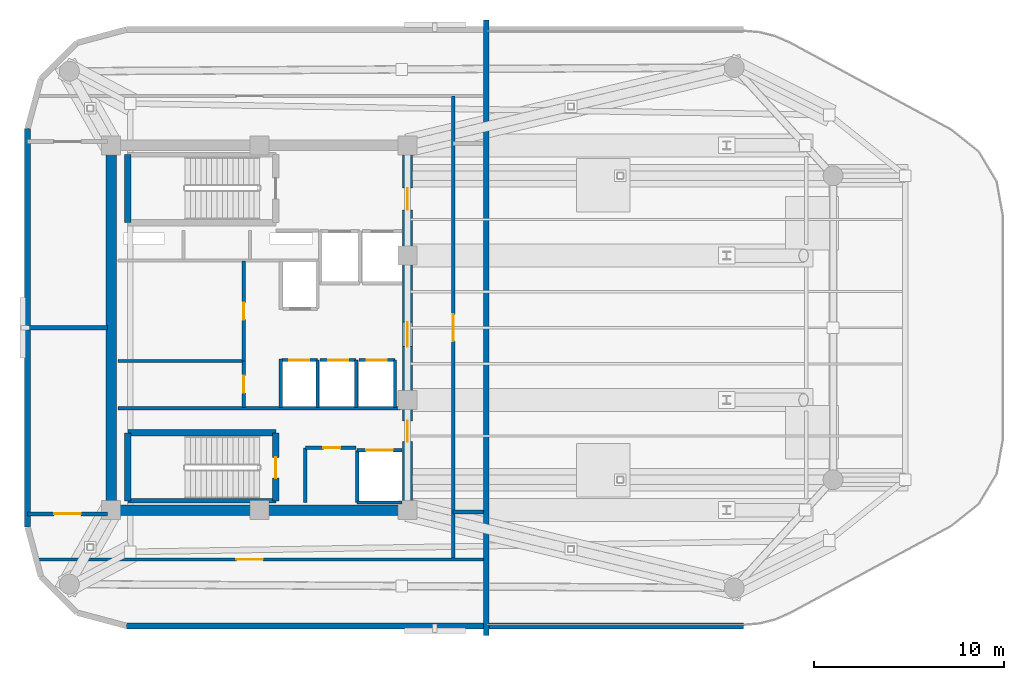
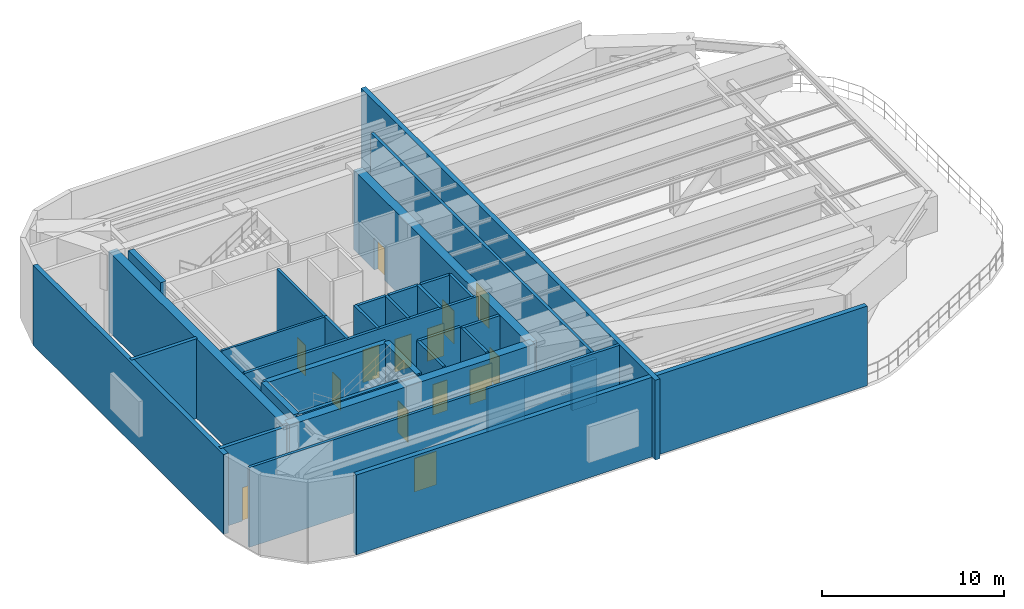
# One storey, part 3 of 6: 32 walls, 14 doors, 14 openings.
"""IFC4 building model written with IfcOpenShell, lengths in metres."""

from ifc_helpers import new_model, si_unit, direction, frame, frame_2d, origin, place, context, subcontext, project, spatial, rectangle, extrude, material, layer, layer_set, type_object, element, fill, save


model = new_model("IFC4")

# Units and contexts
model_context = context("Model", 3, precision=1e-05, world=origin(), true_north=direction((0.0, 1.0)))
body_context = subcontext(model_context, "Body", "Model", "MODEL_VIEW")
ifc_project = project(units=[si_unit("LENGTHUNIT", "METRE"), si_unit("AREAUNIT", "SQUARE_METRE"), si_unit("VOLUMEUNIT", "CUBIC_METRE"), si_unit("PLANEANGLEUNIT", "RADIAN"), si_unit("MASSUNIT", "GRAM", prefix="KILO")], contexts=[model_context])

# Site, building, storey
site_placement = place(None, origin())
site = spatial("IfcSite", under=ifc_project, at=site_placement, CompositionType="ELEMENT")
building_placement = place(site_placement, origin())
building = spatial("IfcBuilding", under=site, at=building_placement, Name="An Khanh Terracotta Commons", CompositionType="ELEMENT")
storey_placement = place(building_placement, frame((0.0, 0.0, 248.10009765625)))
storey = spatial("IfcBuildingStorey", under=building, at=storey_placement, Name="L65", CompositionType="ELEMENT", Elevation=248.10009765625)

# Walls
ifc_material_1 = material(Name="Concrete C50/60", Category="concrete")
ifc_layer_1 = layer(ifc_material_1, 0.550048828125, Name="Concrete C50/60")
ifc_layer_set_1 = layer_set([ifc_layer_1], Name="Concrete C50/60")
wall_type_1 = type_object("IfcWallType", Name="WALL-CORE-550", PredefinedType="SHEAR", material=ifc_layer_set_1)
wall_1_placement = place(storey_placement, frame((21.60009765625, 14.39990234375, 0.0), z_axis=(0.0, 0.0, 1.0), x_axis=(0.0, 1.0, 0.0)))
element("IfcWall", 1, at=wall_1_placement, inside=storey, type_object=wall_type_1, Name="L65 Core Wall CWALL-L65-W", PredefinedType="SHEAR", context=body_context, shape_type="SweptSolid", body=[
    extrude(rectangle(XDim=19.2001953125, YDim=0.550048828125, at=frame_2d((9.60009765625, 0.0))), origin(), (0.0, 0.0, 1.0), 5.35986328125),
])
wall_2_placement = place(storey_placement, frame((37.199951171875, 14.39990234375, 0.0), z_axis=(0.0, 0.0, 1.0), x_axis=(-1.0, 0.0, 0.0)))
element("IfcWall", 2, at=wall_2_placement, inside=storey, type_object=wall_type_1, Name="L65 Core Wall CWALL-L65-S", PredefinedType="SHEAR", context=body_context, shape_type="SweptSolid", body=[
    extrude(rectangle(XDim=15.599853515625, YDim=0.550048828125, at=frame_2d((7.7998046875, 0.0))), origin(), (0.0, 0.0, 1.0), 5.35986328125),
])

# Wall, openings, doors
wall_3_placement = place(storey_placement, frame((37.199951171875, 14.39990234375, 0.0), z_axis=(0.0, 0.0, 1.0), x_axis=(0.0, 1.0, 0.0)))
wall_3 = element("IfcWall", 3, at=wall_3_placement, inside=storey, type_object=wall_type_1, Name="L65 Core Wall CWALL-L65-E", PredefinedType="SHEAR", context=body_context, shape_type="SweptSolid", body=[
    extrude(rectangle(XDim=19.2001953125, YDim=0.550048828125, at=frame_2d((9.60009765625, 0.0))), origin(), (0.0, 0.0, 1.0), 5.35986328125),
])
opening_1_placement = place(wall_3_placement, frame((15.800048828125, 0.0, 0.0)))
opening_1 = element("IfcOpeningElement", 4, at=opening_1_placement, cuts=wall_3, Name="Opening D-FFL", PredefinedType="OPENING", context=body_context, shape_type="SweptSolid", body=[
    extrude(rectangle(XDim=1.14990234375, YDim=2.14990234375, at=frame_2d((0.574951171875, 1.074951171875))), frame((0.0, 0.284912109375, 0.0), z_axis=(0.0, -1.0, 0.0), x_axis=(1.0, 0.0, 0.0)), (0.0, 0.0, 1.0), 0.570068359375),
])
opening_2_placement = place(wall_3_placement, frame((3.60009765625, 0.0, 0.0)))
opening_2 = element("IfcOpeningElement", 5, at=opening_2_placement, cuts=wall_3, Name="Opening D-ST", PredefinedType="OPENING", context=body_context, shape_type="SweptSolid", body=[
    extrude(rectangle(XDim=1.10009765625, YDim=2.14990234375, at=frame_2d((0.550048828125, 1.074951171875))), frame((0.0, 0.284912109375, 0.0), z_axis=(0.0, -1.0, 0.0), x_axis=(1.0, 0.0, 0.0)), (0.0, 0.0, 1.0), 0.570068359375),
])
opening_3_placement = place(wall_3_placement, frame((8.60009765625, 0.0, 0.0)))
opening_3 = element("IfcOpeningElement", 6, at=opening_3_placement, cuts=wall_3, Name="Opening D-COR", PredefinedType="OPENING", context=body_context, shape_type="SweptSolid", body=[
    extrude(rectangle(XDim=1.300048828125, YDim=2.199951171875, at=frame_2d((0.64990234375, 1.10009765625))), frame((0.0, 0.284912109375, 0.0), z_axis=(0.0, -1.0, 0.0), x_axis=(1.0, 0.0, 0.0)), (0.0, 0.0, 1.0), 0.570068359375),
])
ifc_material_2 = material(Name="Fire-Rated Glazed Steel Double Door", Category="steel")
door_type_1 = type_object("IfcDoorType", Name="DOOR-CORR-1300", OperationType="NOTDEFINED", PredefinedType="DOOR", material=ifc_material_2)
door_1_placement = place(opening_3_placement, origin())
door_1 = element("IfcDoor", 7, at=door_1_placement, inside=storey, type_object=door_type_1, Name="L65 Passenger Lift Lobby Double Door", OperationType="DOUBLE_DOOR_SINGLE_SWING", OverallHeight=2.199951171875, OverallWidth=1.300048828125, PredefinedType="DOOR", context=body_context, shape_type="SweptSolid", body=[
    extrude(rectangle(XDim=1.300048828125, YDim=2.199951171875, at=frame_2d((0.64990234375, 1.10009765625))), frame((0.0, 0.02490234375, 0.0), z_axis=(0.0, -1.0, 0.0), x_axis=(1.0, 0.0, 0.0)), (0.0, 0.0, 1.0), 0.050048828125),
])
fill(opening_3, door_1)
ifc_material_3 = material(Name="Fire-Rated Steel Leaf and Vision Panel", Category="steel")
door_type_2 = type_object("IfcDoorType", Name="DOOR-FFL-1150", OperationType="NOTDEFINED", PredefinedType="DOOR", material=ifc_material_3)
door_2_placement = place(opening_1_placement, origin())
door_2 = element("IfcDoor", 8, at=door_2_placement, inside=storey, type_object=door_type_2, Name="L65 Firefighting Lift Lobby Fire Door", OperationType="SINGLE_SWING_LEFT", OverallHeight=2.14990234375, OverallWidth=1.14990234375, PredefinedType="DOOR", context=body_context, shape_type="SweptSolid", body=[
    extrude(rectangle(XDim=1.14990234375, YDim=2.14990234375, at=frame_2d((0.574951171875, 1.074951171875))), frame((0.0, 0.02490234375, 0.0), z_axis=(0.0, -1.0, 0.0), x_axis=(1.0, 0.0, 0.0)), (0.0, 0.0, 1.0), 0.050048828125),
])
fill(opening_1, door_2)
ifc_material_4 = material(Name="Fire-Rated Steel Leaf and Frame", Category="steel")
door_type_3 = type_object("IfcDoorType", Name="DOOR-STAIR-1100", OperationType="NOTDEFINED", PredefinedType="DOOR", material=ifc_material_4)
door_3_placement = place(opening_2_placement, origin())
door_3 = element("IfcDoor", 9, at=door_3_placement, inside=storey, type_object=door_type_3, Name="L65 South Stair Lobby Fire Door", OperationType="SINGLE_SWING_RIGHT", OverallHeight=2.14990234375, OverallWidth=1.10009765625, PredefinedType="DOOR", context=body_context, shape_type="SweptSolid", body=[
    extrude(rectangle(XDim=1.10009765625, YDim=2.14990234375, at=frame_2d((0.550048828125, 1.074951171875))), frame((0.0, 0.02490234375, 0.0), z_axis=(0.0, -1.0, 0.0), x_axis=(1.0, 0.0, 0.0)), (0.0, 0.0, 1.0), 0.050048828125),
])
fill(opening_2, door_3)

# Wall
ifc_material_5 = material(Name="Fire-Rated Gypsum Board on Steel Stud", Category="steel")
ifc_layer_2 = layer(ifc_material_5, 0.179931640625, Name="Fire-Rated Gypsum Board on Steel Stud")
ifc_layer_set_2 = layer_set([ifc_layer_2], Name="Fire-Rated Gypsum Board on Steel Stud")
wall_type_2 = type_object("IfcWallType", Name="WALL-CORR-180", PredefinedType="PARTITIONING", material=ifc_layer_set_2)
wall_4_placement = place(storey_placement, frame((21.949951171875, 19.760009765625, 0.0), z_axis=(0.0, 0.0, 1.0), x_axis=(1.0, 0.0, 0.0)))
element("IfcWall", 10, at=wall_4_placement, inside=storey, type_object=wall_type_2, Name="L65 Core Wall SVW-L65-N", PredefinedType="PARTITIONING", context=body_context, shape_type="SweptSolid", body=[
    extrude(rectangle(XDim=14.8701171875, YDim=0.179931640625, at=frame_2d((7.43505859375, 0.0))), origin(), (0.0, 0.0, 1.0), 5.35986328125),
])

# Wall, opening, door
wall_5_placement = place(storey_placement, frame((31.820068359375, 17.679931640625, 0.0), z_axis=(0.0, 0.0, 1.0), x_axis=(1.0, 0.0, 0.0)))
wall_5 = element("IfcWall", 11, at=wall_5_placement, inside=storey, type_object=wall_type_2, Name="L65 Core Wall SSVCW-L65-N", PredefinedType="PARTITIONING", context=body_context, shape_type="SweptSolid", body=[
    extrude(rectangle(XDim=2.659912109375, YDim=0.179931640625, at=frame_2d((1.330078125, 0.0))), origin(), (0.0, 0.0, 1.0), 5.35986328125),
])
opening_4_placement = place(wall_5_placement, frame((0.949951171875, 0.0, 0.0)))
opening_4 = element("IfcOpeningElement", 12, at=opening_4_placement, cuts=wall_5, Name="Opening D-SV", PredefinedType="OPENING", context=body_context, shape_type="SweptSolid", body=[
    extrude(rectangle(XDim=0.89990234375, YDim=2.050048828125, at=frame_2d((0.449951171875, 1.02490234375))), frame((0.0, 0.099853515625, 0.0), z_axis=(0.0, -1.0, 0.0), x_axis=(1.0, 0.0, 0.0)), (0.0, 0.0, 1.0), 0.199951171875),
])
ifc_material_6 = material(Name="Fire-Rated Powder-Coated Steel Door", Category="steel")
door_type_4 = type_object("IfcDoorType", Name="DOOR-SERV-900", OperationType="NOTDEFINED", PredefinedType="DOOR", material=ifc_material_6)
door_4_placement = place(opening_4_placement, origin())
door_4 = element("IfcDoor", 13, at=door_4_placement, inside=storey, type_object=door_type_4, Name="L65 Mechanical BMS Switchroom Door", OperationType="SINGLE_SWING_LEFT", OverallHeight=2.050048828125, OverallWidth=0.89990234375, PredefinedType="DOOR", context=body_context, shape_type="SweptSolid", body=[
    extrude(rectangle(XDim=0.89990234375, YDim=2.050048828125, at=frame_2d((0.449951171875, 1.02490234375))), frame((0.0, 0.02490234375, 0.0), z_axis=(0.0, -1.0, 0.0), x_axis=(1.0, 0.0, 0.0)), (0.0, 0.0, 1.0), 0.050048828125),
])
fill(opening_4, door_4)

# Wall
wall_6_placement = place(storey_placement, frame((31.820068359375, 14.800048828125, 0.0), z_axis=(0.0, 0.0, 1.0), x_axis=(0.0, 1.0, 0.0)))
element("IfcWall", 14, at=wall_6_placement, inside=storey, type_object=wall_type_2, Name="L65 Core Wall SSVCW-L65-W", PredefinedType="PARTITIONING", context=body_context, shape_type="SweptSolid", body=[
    extrude(rectangle(XDim=2.8798828125, YDim=0.179931640625, at=frame_2d((1.43994140625, 0.0))), origin(), (0.0, 0.0, 1.0), 5.35986328125),
])

# Wall, opening, door
wall_7_placement = place(storey_placement, frame((34.550048828125, 17.550048828125, 0.0), z_axis=(0.0, 0.0, 1.0), x_axis=(1.0, 0.0, 0.0)))
wall_7 = element("IfcWall", 15, at=wall_7_placement, inside=storey, type_object=wall_type_2, Name="L65 Core Wall LSH-L65-SVL-01-N", PredefinedType="PARTITIONING", context=body_context, shape_type="SweptSolid", body=[
    extrude(rectangle(XDim=2.349853515625, YDim=0.179931640625, at=frame_2d((1.1748046875, 0.0))), origin(), (0.0, 0.0, 1.0), 5.35986328125),
])
opening_5_placement = place(wall_7_placement, frame((0.47509765625, 0.0, 0.0)))
opening_5 = element("IfcOpeningElement", 16, at=opening_5_placement, cuts=wall_7, Name="Opening LD-SVL-01-L65", PredefinedType="OPENING", context=body_context, shape_type="SweptSolid", body=[
    extrude(rectangle(XDim=1.39990234375, YDim=2.300048828125, at=frame_2d((0.699951171875, 1.14990234375))), frame((0.0, 0.099853515625, 0.0), z_axis=(0.0, -1.0, 0.0), x_axis=(1.0, 0.0, 0.0)), (0.0, 0.0, 1.0), 0.199951171875),
])
ifc_material_7 = material(Name="Heavy-Duty Stainless Steel Goods Landing Door", Category="steel")
door_type_5 = type_object("IfcDoorType", Name="DOOR-LD-SVL-1400", OperationType="NOTDEFINED", PredefinedType="DOOR", material=ifc_material_7)
door_5_placement = place(opening_5_placement, origin())
door_5 = element("IfcDoor", 17, at=door_5_placement, inside=storey, type_object=door_type_5, Name="L65 Lift SVL-01 Sliding Landing Door", OperationType="DOUBLE_DOOR_SLIDING", OverallHeight=2.300048828125, OverallWidth=1.39990234375, PredefinedType="DOOR", context=body_context, shape_type="SweptSolid", body=[
    extrude(rectangle(XDim=1.39990234375, YDim=2.300048828125, at=frame_2d((0.699951171875, 1.14990234375))), frame((0.0, 0.02490234375, 0.0), z_axis=(0.0, -1.0, 0.0), x_axis=(1.0, 0.0, 0.0)), (0.0, 0.0, 1.0), 0.050048828125),
])
fill(opening_5, door_5)

# Walls
wall_8_placement = place(storey_placement, frame((36.89990234375, 14.800048828125, 0.0), z_axis=(0.0, 0.0, 1.0), x_axis=(-1.0, 0.0, 0.0)))
element("IfcWall", 18, at=wall_8_placement, inside=storey, type_object=wall_type_2, Name="L65 Core Wall LSH-L65-SVL-01-S", PredefinedType="PARTITIONING", context=body_context, shape_type="SweptSolid", body=[
    extrude(rectangle(XDim=2.349853515625, YDim=0.179931640625, at=frame_2d((1.1748046875, 0.0))), origin(), (0.0, 0.0, 1.0), 2.94189453125),
])
wall_9_placement = place(storey_placement, frame((34.550048828125, 17.550048828125, 0.0), z_axis=(0.0, 0.0, 1.0), x_axis=(0.0, -1.0, 0.0)))
element("IfcWall", 19, at=wall_9_placement, inside=storey, type_object=wall_type_2, Name="L65 Core Wall LSH-L65-SVL-01-W", PredefinedType="PARTITIONING", context=body_context, shape_type="SweptSolid", body=[
    extrude(rectangle(XDim=2.75, YDim=0.179931640625, at=frame_2d((1.375, 0.0))), origin(), (0.0, 0.0, 1.0), 5.35986328125),
])

# Wall, opening, door
wall_10_placement = place(storey_placement, frame((30.56005859375, 22.300048828125, 0.0), z_axis=(0.0, 0.0, 1.0), x_axis=(1.0, 0.0, 0.0)))
wall_10 = element("IfcWall", 20, at=wall_10_placement, inside=storey, type_object=wall_type_2, Name="L65 Core Wall LSH-L65-PL-H2-N", PredefinedType="PARTITIONING", context=body_context, shape_type="SweptSolid", body=[
    extrude(rectangle(XDim=1.89990234375, YDim=0.179931640625, at=frame_2d((0.949951171875, 0.0))), origin(), (0.0, 0.0, 1.0), 5.35986328125),
])
opening_6_placement = place(wall_10_placement, frame((0.425048828125, 0.0, 0.0)))
opening_6 = element("IfcOpeningElement", 21, at=opening_6_placement, cuts=wall_10, Name="Opening LD-PL-H2-L65", PredefinedType="OPENING", context=body_context, shape_type="SweptSolid", body=[
    extrude(rectangle(XDim=1.050048828125, YDim=2.199951171875, at=frame_2d((0.52490234375, 1.10009765625))), frame((0.0, 0.099853515625, 0.0), z_axis=(0.0, -1.0, 0.0), x_axis=(1.0, 0.0, 0.0)), (0.0, 0.0, 1.0), 0.199951171875),
])
ifc_material_8 = material(Name="Brushed Stainless Steel High-Rise Landing Door", Category="steel")
door_type_6 = type_object("IfcDoorType", Name="DOOR-LD-PAXH-1050", OperationType="NOTDEFINED", PredefinedType="DOOR", material=ifc_material_8)
door_6_placement = place(opening_6_placement, origin())
door_6 = element("IfcDoor", 22, at=door_6_placement, inside=storey, type_object=door_type_6, Name="L65 Lift PL-H2 Sliding Landing Door", OperationType="DOUBLE_DOOR_SLIDING", OverallHeight=2.199951171875, OverallWidth=1.050048828125, PredefinedType="DOOR", context=body_context, shape_type="SweptSolid", body=[
    extrude(rectangle(XDim=1.050048828125, YDim=2.199951171875, at=frame_2d((0.52490234375, 1.10009765625))), frame((0.0, 0.02490234375, 0.0), z_axis=(0.0, -1.0, 0.0), x_axis=(1.0, 0.0, 0.0)), (0.0, 0.0, 1.0), 0.050048828125),
])
fill(opening_6, door_6)

# Wall
wall_11_placement = place(storey_placement, frame((32.4599609375, 19.800048828125, 0.0), z_axis=(0.0, 0.0, 1.0), x_axis=(0.0, 1.0, 0.0)))
element("IfcWall", 23, at=wall_11_placement, inside=storey, type_object=wall_type_2, Name="L65 Core Wall LSH-L65-PL-H2-E", PredefinedType="PARTITIONING", context=body_context, shape_type="SweptSolid", body=[
    extrude(rectangle(XDim=2.5, YDim=0.179931640625, at=frame_2d((1.25, 0.0))), origin(), (0.0, 0.0, 1.0), 5.35986328125),
])

# Wall, opening, door
wall_12_placement = place(storey_placement, frame((32.60009765625, 22.300048828125, 0.0), z_axis=(0.0, 0.0, 1.0), x_axis=(1.0, 0.0, 0.0)))
wall_12 = element("IfcWall", 24, at=wall_12_placement, inside=storey, type_object=wall_type_2, Name="L65 Core Wall LSH-L65-PL-H3-N", PredefinedType="PARTITIONING", context=body_context, shape_type="SweptSolid", body=[
    extrude(rectangle(XDim=1.89990234375, YDim=0.179931640625, at=frame_2d((0.949951171875, 0.0))), origin(), (0.0, 0.0, 1.0), 5.35986328125),
])
opening_7_placement = place(wall_12_placement, frame((0.425048828125, 0.0, 0.0)))
opening_7 = element("IfcOpeningElement", 25, at=opening_7_placement, cuts=wall_12, Name="Opening LD-PL-H3-L65", PredefinedType="OPENING", context=body_context, shape_type="SweptSolid", body=[
    extrude(rectangle(XDim=1.050048828125, YDim=2.199951171875, at=frame_2d((0.52490234375, 1.10009765625))), frame((0.0, 0.099853515625, 0.0), z_axis=(0.0, -1.0, 0.0), x_axis=(1.0, 0.0, 0.0)), (0.0, 0.0, 1.0), 0.199951171875),
])
door_7_placement = place(opening_7_placement, origin())
door_7 = element("IfcDoor", 26, at=door_7_placement, inside=storey, type_object=door_type_6, Name="L65 Lift PL-H3 Sliding Landing Door", OperationType="DOUBLE_DOOR_SLIDING", OverallHeight=2.199951171875, OverallWidth=1.050048828125, PredefinedType="DOOR", context=body_context, shape_type="SweptSolid", body=[
    extrude(rectangle(XDim=1.050048828125, YDim=2.199951171875, at=frame_2d((0.52490234375, 1.10009765625))), frame((0.0, 0.02490234375, 0.0), z_axis=(0.0, -1.0, 0.0), x_axis=(1.0, 0.0, 0.0)), (0.0, 0.0, 1.0), 0.050048828125),
])
fill(opening_7, door_7)

# Wall
wall_13_placement = place(storey_placement, frame((34.5, 19.800048828125, 0.0), z_axis=(0.0, 0.0, 1.0), x_axis=(0.0, 1.0, 0.0)))
element("IfcWall", 27, at=wall_13_placement, inside=storey, type_object=wall_type_2, Name="L65 Core Wall LSH-L65-PL-H3-E", PredefinedType="PARTITIONING", context=body_context, shape_type="SweptSolid", body=[
    extrude(rectangle(XDim=2.5, YDim=0.179931640625, at=frame_2d((1.25, 0.0))), origin(), (0.0, 0.0, 1.0), 5.35986328125),
])

# Wall, opening, door
wall_14_placement = place(storey_placement, frame((34.639892578125, 22.300048828125, 0.0), z_axis=(0.0, 0.0, 1.0), x_axis=(1.0, 0.0, 0.0)))
wall_14 = element("IfcWall", 28, at=wall_14_placement, inside=storey, type_object=wall_type_2, Name="L65 Core Wall LSH-L65-PL-H4-N", PredefinedType="PARTITIONING", context=body_context, shape_type="SweptSolid", body=[
    extrude(rectangle(XDim=1.900146484375, YDim=0.179931640625, at=frame_2d((0.9501953125, 0.0))), origin(), (0.0, 0.0, 1.0), 5.35986328125),
])
opening_8_placement = place(wall_14_placement, frame((0.425048828125, 0.0, 0.0)))
opening_8 = element("IfcOpeningElement", 29, at=opening_8_placement, cuts=wall_14, Name="Opening LD-PL-H4-L65", PredefinedType="OPENING", context=body_context, shape_type="SweptSolid", body=[
    extrude(rectangle(XDim=1.050048828125, YDim=2.199951171875, at=frame_2d((0.52490234375, 1.10009765625))), frame((0.0, 0.099853515625, 0.0), z_axis=(0.0, -1.0, 0.0), x_axis=(1.0, 0.0, 0.0)), (0.0, 0.0, 1.0), 0.199951171875),
])
door_8_placement = place(opening_8_placement, origin())
door_8 = element("IfcDoor", 30, at=door_8_placement, inside=storey, type_object=door_type_6, Name="L65 Lift PL-H4 Sliding Landing Door", OperationType="DOUBLE_DOOR_SLIDING", OverallHeight=2.199951171875, OverallWidth=1.050048828125, PredefinedType="DOOR", context=body_context, shape_type="SweptSolid", body=[
    extrude(rectangle(XDim=1.050048828125, YDim=2.199951171875, at=frame_2d((0.52490234375, 1.10009765625))), frame((0.0, 0.02490234375, 0.0), z_axis=(0.0, -1.0, 0.0), x_axis=(1.0, 0.0, 0.0)), (0.0, 0.0, 1.0), 0.050048828125),
])
fill(opening_8, door_8)

# Walls
wall_15_placement = place(storey_placement, frame((36.5400390625, 19.800048828125, 0.0), z_axis=(0.0, 0.0, 1.0), x_axis=(0.0, 1.0, 0.0)))
element("IfcWall", 31, at=wall_15_placement, inside=storey, type_object=wall_type_2, Name="L65 Core Wall LSH-L65-PL-H4-E", PredefinedType="PARTITIONING", context=body_context, shape_type="SweptSolid", body=[
    extrude(rectangle(XDim=2.5, YDim=0.179931640625, at=frame_2d((1.25, 0.0))), origin(), (0.0, 0.0, 1.0), 5.35986328125),
])
wall_16_placement = place(storey_placement, frame((30.52001953125, 19.800048828125, 0.0), z_axis=(0.0, 0.0, 1.0), x_axis=(0.0, 1.0, 0.0)))
element("IfcWall", 32, at=wall_16_placement, inside=storey, type_object=wall_type_2, Name="L65 Core Wall RECW-L65-BE2", PredefinedType="PARTITIONING", context=body_context, shape_type="SweptSolid", body=[
    extrude(rectangle(XDim=2.550048828125, YDim=0.179931640625, at=frame_2d((1.27490234375, 0.0))), origin(), (0.0, 0.0, 1.0), 5.35986328125),
])

# Wall, opening, door
wall_17_placement = place(storey_placement, frame((28.580078125, 22.25, 0.0), z_axis=(0.0, 0.0, 1.0), x_axis=(0.0, 1.0, 0.0)))
wall_17 = element("IfcWall", 33, at=wall_17_placement, inside=storey, type_object=wall_type_2, Name="L65 Core Wall RECW-L65-E1", PredefinedType="PARTITIONING", context=body_context, shape_type="SweptSolid", body=[
    extrude(rectangle(XDim=5.25, YDim=0.179931640625, at=frame_2d((2.625, 0.0))), origin(), (0.0, 0.0, 1.0), 5.35986328125),
])
opening_9_placement = place(wall_17_placement, frame((2.175048828125, 0.0, 0.0)))
opening_9 = element("IfcOpeningElement", 34, at=opening_9_placement, cuts=wall_17, Name="Opening D-SV", PredefinedType="OPENING", context=body_context, shape_type="SweptSolid", body=[
    extrude(rectangle(XDim=0.89990234375, YDim=2.050048828125, at=frame_2d((0.449951171875, 1.02490234375))), frame((0.0, 0.099853515625, 0.0), z_axis=(0.0, -1.0, 0.0), x_axis=(1.0, 0.0, 0.0)), (0.0, 0.0, 1.0), 0.199951171875),
])
door_9_placement = place(opening_9_placement, origin())
door_9 = element("IfcDoor", 35, at=door_9_placement, inside=storey, type_object=door_type_4, Name="L65 Mechanical Smoke-Control Fan Plant Room Door", OperationType="SINGLE_SWING_RIGHT", OverallHeight=2.050048828125, OverallWidth=0.89990234375, PredefinedType="DOOR", context=body_context, shape_type="SweptSolid", body=[
    extrude(rectangle(XDim=0.89990234375, YDim=2.050048828125, at=frame_2d((0.449951171875, 1.02490234375))), frame((0.0, 0.02490234375, 0.0), z_axis=(0.0, -1.0, 0.0), x_axis=(1.0, 0.0, 0.0)), (0.0, 0.0, 1.0), 0.050048828125),
])
fill(opening_9, door_9)

wall_18_placement = place(storey_placement, frame((28.580078125, 19.800048828125, 0.0), z_axis=(0.0, 0.0, 1.0), x_axis=(0.0, 1.0, 0.0)))
wall_18 = element("IfcWall", 36, at=wall_18_placement, inside=storey, type_object=wall_type_2, Name="L65 Core Wall RECW-L65-E2", PredefinedType="PARTITIONING", context=body_context, shape_type="SweptSolid", body=[
    extrude(rectangle(XDim=2.449951171875, YDim=0.179931640625, at=frame_2d((1.22509765625, 0.0))), origin(), (0.0, 0.0, 1.0), 5.35986328125),
])
opening_10_placement = place(wall_18_placement, frame((0.77490234375, 0.0, 0.0)))
opening_10 = element("IfcOpeningElement", 37, at=opening_10_placement, cuts=wall_18, Name="Opening D-SV", PredefinedType="OPENING", context=body_context, shape_type="SweptSolid", body=[
    extrude(rectangle(XDim=0.89990234375, YDim=2.050048828125, at=frame_2d((0.449951171875, 1.02490234375))), frame((0.0, 0.099853515625, 0.0), z_axis=(0.0, -1.0, 0.0), x_axis=(1.0, 0.0, 0.0)), (0.0, 0.0, 1.0), 0.199951171875),
])
door_10_placement = place(opening_10_placement, origin())
door_10 = element("IfcDoor", 38, at=door_10_placement, inside=storey, type_object=door_type_4, Name="L65 Refuge Emergency Generator Switchroom Door", OperationType="SINGLE_SWING_LEFT", OverallHeight=2.050048828125, OverallWidth=0.89990234375, PredefinedType="DOOR", context=body_context, shape_type="SweptSolid", body=[
    extrude(rectangle(XDim=0.89990234375, YDim=2.050048828125, at=frame_2d((0.449951171875, 1.02490234375))), frame((0.0, 0.02490234375, 0.0), z_axis=(0.0, -1.0, 0.0), x_axis=(1.0, 0.0, 0.0)), (0.0, 0.0, 1.0), 0.050048828125),
])
fill(opening_10, door_10)

wall_19_placement = place(storey_placement, frame((17.656005859375, 11.800048828125, 0.0), z_axis=(0.0, 0.0, 1.0), x_axis=(1.0, 0.0, 0.0)))
wall_19 = element("IfcWall", 39, at=wall_19_placement, inside=storey, type_object=wall_type_2, Name="L65 Interior Partition IW-L65-E001", PredefinedType="PARTITIONING", context=body_context, shape_type="SweptSolid", body=[
    extrude(rectangle(XDim=23.5439453125, YDim=0.179931640625, at=frame_2d((11.77197265625, 0.0))), origin(), (0.0, 0.0, 1.0), 5.35986328125),
])
opening_11_placement = place(wall_19_placement, frame((10.531982421875, 0.0, 0.0)))
opening_11 = element("IfcOpeningElement", 40, at=opening_11_placement, cuts=wall_19, Name="Opening D-PL", PredefinedType="OPENING", context=body_context, shape_type="SweptSolid", body=[
    extrude(rectangle(XDim=1.39990234375, YDim=2.25, at=frame_2d((0.699951171875, 1.125))), frame((0.0, 0.099853515625, 0.0), z_axis=(0.0, -1.0, 0.0), x_axis=(1.0, 0.0, 0.0)), (0.0, 0.0, 1.0), 0.199951171875),
])
ifc_material_9 = material(Name="Heavy-Duty Acoustic Steel Double Plant Door", Category="steel")
door_type_7 = type_object("IfcDoorType", Name="DOOR-PLANT-1400", OperationType="NOTDEFINED", PredefinedType="DOOR", material=ifc_material_9)
door_11_placement = place(opening_11_placement, origin())
door_11 = element("IfcDoor", 41, at=door_11_placement, inside=storey, type_object=door_type_7, Name="L65 REFS South Pressurised Refuge Area Door", OperationType="DOUBLE_DOOR_SINGLE_SWING", OverallHeight=2.25, OverallWidth=1.39990234375, PredefinedType="DOOR", context=body_context, shape_type="SweptSolid", body=[
    extrude(rectangle(XDim=1.39990234375, YDim=2.25, at=frame_2d((0.699951171875, 1.125))), frame((0.0, 0.02490234375, 0.0), z_axis=(0.0, -1.0, 0.0), x_axis=(1.0, 0.0, 0.0)), (0.0, 0.0, 1.0), 0.050048828125),
])
fill(opening_11, door_11)

wall_20_placement = place(storey_placement, frame((39.60009765625, 11.800048828125, 0.0), z_axis=(0.0, 0.0, 1.0), x_axis=(0.0, 1.0, 0.0)))
wall_20 = element("IfcWall", 42, at=wall_20_placement, inside=storey, type_object=wall_type_2, Name="L65 Interior Partition IW-L65-E008", PredefinedType="PARTITIONING", context=body_context, shape_type="SweptSolid", body=[
    extrude(rectangle(XDim=24.39990234375, YDim=0.179931640625, at=frame_2d((12.199951171875, 0.0))), origin(), (0.0, 0.0, 1.0), 5.35986328125),
])
opening_12_placement = place(wall_20_placement, frame((11.5, 0.0, 0.0)))
opening_12 = element("IfcOpeningElement", 43, at=opening_12_placement, cuts=wall_20, Name="Opening D-PL", PredefinedType="OPENING", context=body_context, shape_type="SweptSolid", body=[
    extrude(rectangle(XDim=1.39990234375, YDim=2.25, at=frame_2d((0.699951171875, 1.125))), frame((0.0, 0.099853515625, 0.0), z_axis=(0.0, -1.0, 0.0), x_axis=(1.0, 0.0, 0.0)), (0.0, 0.0, 1.0), 0.199951171875),
])
door_12_placement = place(opening_12_placement, origin())
door_12 = element("IfcDoor", 44, at=door_12_placement, inside=storey, type_object=door_type_7, Name="L65 WAHU Supply Ventilation AHU Room Door", OperationType="DOUBLE_DOOR_SINGLE_SWING", OverallHeight=2.25, OverallWidth=1.39990234375, PredefinedType="DOOR", context=body_context, shape_type="SweptSolid", body=[
    extrude(rectangle(XDim=1.39990234375, YDim=2.25, at=frame_2d((0.699951171875, 1.125))), frame((0.0, 0.02490234375, 0.0), z_axis=(0.0, -1.0, 0.0), x_axis=(1.0, 0.0, 0.0)), (0.0, 0.0, 1.0), 0.050048828125),
])
fill(opening_12, door_12)

# Walls
ifc_material_10 = material(Name="Precast concrete C40/50", Category="concrete")
ifc_layer_3 = layer(ifc_material_10, 0.300048828125, Name="Precast concrete C40/50")
ifc_layer_set_3 = layer_set([ifc_layer_3], Name="Precast concrete C40/50")
wall_type_3 = type_object("IfcWallType", Name="WALL-EXT-300", PredefinedType="SOLIDWALL", material=ifc_layer_set_3)
wall_21_placement = place(storey_placement, frame((41.35009765625, 7.800048828125, 0.0), z_axis=(0.0, 0.0, 1.0), x_axis=(0.0, 1.0, 0.0)))
element("IfcWall", 45, at=wall_21_placement, inside=storey, type_object=wall_type_3, Name="L65 Wind-Slot Refuge Cutoff Fire Wall", PredefinedType="SOLIDWALL", context=body_context, shape_type="SweptSolid", body=[
    extrude(rectangle(XDim=32.39990234375, YDim=0.300048828125, at=frame_2d((16.199951171875, 0.0))), origin(), (0.0, 0.0, 1.0), 5.35986328125),
])
wall_22_placement = place(storey_placement, frame((22.39990234375, 8.300048828125, 0.0), z_axis=(0.0, 0.0, 1.0), x_axis=(1.0, 0.0, 0.0)))
element("IfcWall", 46, at=wall_22_placement, inside=storey, type_object=wall_type_3, Name="L65 Refuge Perimeter Wall 4", PredefinedType="SOLIDWALL", context=body_context, shape_type="SweptSolid", body=[
    extrude(rectangle(XDim=32.485107421875, YDim=0.300048828125, at=frame_2d((16.24267578125, 0.0))), origin(), (0.0, 0.0, 1.0), 5.35986328125),
])
wall_23_placement = place(storey_placement, frame((17.199951171875, 34.5, 0.0), z_axis=(0.0, 0.0, 1.0), x_axis=(0.0, -1.0, 0.0)))
element("IfcWall", 47, at=wall_23_placement, inside=storey, type_object=wall_type_3, Name="L65 Refuge Perimeter Wall 24", PredefinedType="SOLIDWALL", context=body_context, shape_type="SweptSolid", body=[
    extrude(rectangle(XDim=21.0, YDim=0.300048828125, at=frame_2d((10.5, 0.0))), origin(), (0.0, 0.0, 1.0), 5.35986328125),
])
ifc_material_11 = material(Name="Acoustic Gypsum Board Partition")
ifc_layer_4 = layer(ifc_material_11, 0.14990234375, Name="Acoustic Gypsum Board Partition")
ifc_layer_set_4 = layer_set([ifc_layer_4], Name="Acoustic Gypsum Board Partition")
wall_type_4 = type_object("IfcWallType", Name="WALL-PART-150", PredefinedType="PARTITIONING", material=ifc_layer_set_4)
wall_24_placement = place(storey_placement, frame((21.949951171875, 22.25, 0.0), z_axis=(0.0, 0.0, 1.0), x_axis=(1.0, 0.0, 0.0)))
element("IfcWall", 48, at=wall_24_placement, inside=storey, type_object=wall_type_4, Name="L65 Core Wall RECW-L65-M", PredefinedType="PARTITIONING", context=body_context, shape_type="SweptSolid", body=[
    extrude(rectangle(XDim=6.630126953125, YDim=0.14990234375, at=frame_2d((3.31494140625, 0.0))), origin(), (0.0, 0.0, 1.0), 5.35986328125),
])
ifc_material_12 = material(Name="Acoustic Double-Stud Gypsum and Mineral Wool")
ifc_layer_5 = layer(ifc_material_12, 0.219970703125, Name="Acoustic Double-Stud Gypsum and Mineral Wool")
ifc_layer_set_5 = layer_set([ifc_layer_5], Name="Acoustic Double-Stud Gypsum and Mineral Wool")
wall_type_5 = type_object("IfcWallType", Name="WALL-PARTY-220", PredefinedType="PARTITIONING", material=ifc_layer_set_5)
wall_25_placement = place(storey_placement, frame((22.47998046875, 14.889892578125, 0.0), z_axis=(0.0, 0.0, 1.0), x_axis=(1.0, 0.0, 0.0)))
element("IfcWall", 49, at=wall_25_placement, inside=storey, type_object=wall_type_5, Name="L65 Core Wall STW-L65-S-S", PredefinedType="PARTITIONING", context=body_context, shape_type="SweptSolid", body=[
    extrude(rectangle(XDim=7.7900390625, YDim=0.219970703125, at=frame_2d((3.89501953125, 0.0))), origin(), (0.0, 0.0, 1.0), 5.35986328125),
])

# Wall, opening, door
wall_26_placement = place(storey_placement, frame((17.199951171875, 14.199951171875, 0.0), z_axis=(0.0, 0.0, 1.0), x_axis=(1.0, 0.0, 0.0)))
wall_26 = element("IfcWall", 50, at=wall_26_placement, inside=storey, type_object=wall_type_5, Name="L65 Interior Partition IW-L65-E002", PredefinedType="PARTITIONING", context=body_context, shape_type="SweptSolid", body=[
    extrude(rectangle(XDim=4.199951171875, YDim=0.219970703125, at=frame_2d((2.10009765625, 0.0))), origin(), (0.0, 0.0, 1.0), 5.35986328125),
])
opening_13_placement = place(wall_26_placement, frame((1.39990234375, 0.0, 0.0)))
opening_13 = element("IfcOpeningElement", 51, at=opening_13_placement, cuts=wall_26, Name="Opening D-PL", PredefinedType="OPENING", context=body_context, shape_type="SweptSolid", body=[
    extrude(rectangle(XDim=1.39990234375, YDim=2.25, at=frame_2d((0.699951171875, 1.125))), frame((0.0, 0.119873046875, 0.0), z_axis=(0.0, -1.0, 0.0), x_axis=(1.0, 0.0, 0.0)), (0.0, 0.0, 1.0), 0.239990234375),
])
door_13_placement = place(opening_13_placement, origin())
door_13 = element("IfcDoor", 52, at=door_13_placement, inside=storey, type_object=door_type_7, Name="L65 WINV Wind Turbine Electrical Switchroom Door", OperationType="DOUBLE_DOOR_SINGLE_SWING", OverallHeight=2.25, OverallWidth=1.39990234375, PredefinedType="DOOR", context=body_context, shape_type="SweptSolid", body=[
    extrude(rectangle(XDim=1.39990234375, YDim=2.25, at=frame_2d((0.699951171875, 1.125))), frame((0.0, 0.02490234375, 0.0), z_axis=(0.0, -1.0, 0.0), x_axis=(1.0, 0.0, 0.0)), (0.0, 0.0, 1.0), 0.050048828125),
])
fill(opening_13, door_13)

# Walls
wall_27_placement = place(storey_placement, frame((39.60009765625, 14.300048828125, 0.0), z_axis=(0.0, 0.0, 1.0), x_axis=(1.0, 0.0, 0.0)))
element("IfcWall", 53, at=wall_27_placement, inside=storey, type_object=wall_type_5, Name="L65 Interior Partition IW-L65-E003", PredefinedType="PARTITIONING", context=body_context, shape_type="SweptSolid", body=[
    extrude(rectangle(XDim=1.599853515625, YDim=0.219970703125, at=frame_2d((0.7998046875, 0.0))), origin(), (0.0, 0.0, 1.0), 2.94189453125),
])
wall_28_placement = place(storey_placement, frame((17.199951171875, 24.0, 0.0), z_axis=(0.0, 0.0, 1.0), x_axis=(1.0, 0.0, 0.0)))
element("IfcWall", 54, at=wall_28_placement, inside=storey, type_object=wall_type_5, Name="L65 Interior Partition IW-L65-E004", PredefinedType="PARTITIONING", context=body_context, shape_type="SweptSolid", body=[
    extrude(rectangle(XDim=4.199951171875, YDim=0.219970703125, at=frame_2d((2.10009765625, 0.0))), origin(), (0.0, 0.0, 1.0), 5.35986328125),
])
ifc_layer_6 = layer(ifc_material_1, 0.35009765625, Name="Concrete C50/60")
ifc_layer_set_6 = layer_set([ifc_layer_6], Name="Concrete C50/60")
wall_type_6 = type_object("IfcWallType", Name="WALL-SHAFT-350", PredefinedType="SOLIDWALL", material=ifc_layer_set_6)
wall_29_placement = place(storey_placement, frame((22.47998046875, 29.530029296875, 0.0), z_axis=(0.0, 0.0, 1.0), x_axis=(0.0, 1.0, 0.0)))
element("IfcWall", 55, at=wall_29_placement, inside=storey, type_object=wall_type_6, Name="L65 Core Wall STW-L65-N-W", PredefinedType="SOLIDWALL", context=body_context, shape_type="SweptSolid", body=[
    extrude(rectangle(XDim=3.580078125, YDim=0.35009765625, at=frame_2d((1.7900390625, 0.0))), origin(), (0.0, 0.0, 1.0), 5.35986328125),
])
wall_30_placement = place(storey_placement, frame((22.47998046875, 18.469970703125, 0.0), z_axis=(0.0, 0.0, 1.0), x_axis=(1.0, 0.0, 0.0)))
element("IfcWall", 56, at=wall_30_placement, inside=storey, type_object=wall_type_6, Name="L65 Core Wall STW-L65-S-N", PredefinedType="SOLIDWALL", context=body_context, shape_type="SweptSolid", body=[
    extrude(rectangle(XDim=7.7900390625, YDim=0.35009765625, at=frame_2d((3.89501953125, 0.0))), origin(), (0.0, 0.0, 1.0), 5.35986328125),
])
wall_31_placement = place(storey_placement, frame((22.47998046875, 14.889892578125, 0.0), z_axis=(0.0, 0.0, 1.0), x_axis=(0.0, 1.0, 0.0)))
element("IfcWall", 57, at=wall_31_placement, inside=storey, type_object=wall_type_6, Name="L65 Core Wall STW-L65-S-W", PredefinedType="SOLIDWALL", context=body_context, shape_type="SweptSolid", body=[
    extrude(rectangle(XDim=3.580078125, YDim=0.35009765625, at=frame_2d((1.7900390625, 0.0))), origin(), (0.0, 0.0, 1.0), 5.35986328125),
])

# Wall, opening, door
wall_32_placement = place(storey_placement, frame((30.27001953125, 14.889892578125, 0.0), z_axis=(0.0, 0.0, 1.0), x_axis=(0.0, 1.0, 0.0)))
wall_32 = element("IfcWall", 58, at=wall_32_placement, inside=storey, type_object=wall_type_6, Name="L65 Core Wall STW-L65-S-E", PredefinedType="SOLIDWALL", context=body_context, shape_type="SweptSolid", body=[
    extrude(rectangle(XDim=3.580078125, YDim=0.35009765625, at=frame_2d((1.7900390625, 0.0))), origin(), (0.0, 0.0, 1.0), 5.35986328125),
])
opening_14_placement = place(wall_32_placement, frame((1.18994140625, 0.0, 0.0)))
opening_14 = element("IfcOpeningElement", 59, at=opening_14_placement, cuts=wall_32, Name="Opening D-ST", PredefinedType="OPENING", context=body_context, shape_type="SweptSolid", body=[
    extrude(rectangle(XDim=1.10009765625, YDim=2.14990234375, at=frame_2d((0.550048828125, 1.074951171875))), frame((0.0, 0.18505859375, 0.0), z_axis=(0.0, -1.0, 0.0), x_axis=(1.0, 0.0, 0.0)), (0.0, 0.0, 1.0), 0.3701171875),
])
door_14_placement = place(opening_14_placement, origin())
door_14 = element("IfcDoor", 60, at=door_14_placement, inside=storey, type_object=door_type_3, Name="L65 Stair ST-02 Fire Door", OperationType="SINGLE_SWING_RIGHT", OverallHeight=2.14990234375, OverallWidth=1.10009765625, PredefinedType="DOOR", context=body_context, shape_type="SweptSolid", body=[
    extrude(rectangle(XDim=1.10009765625, YDim=2.14990234375, at=frame_2d((0.550048828125, 1.074951171875))), frame((0.0, 0.02490234375, 0.0), z_axis=(0.0, -1.0, 0.0), x_axis=(1.0, 0.0, 0.0)), (0.0, 0.0, 1.0), 0.050048828125),
])
fill(opening_14, door_14)

save(model, "model.ifc")
